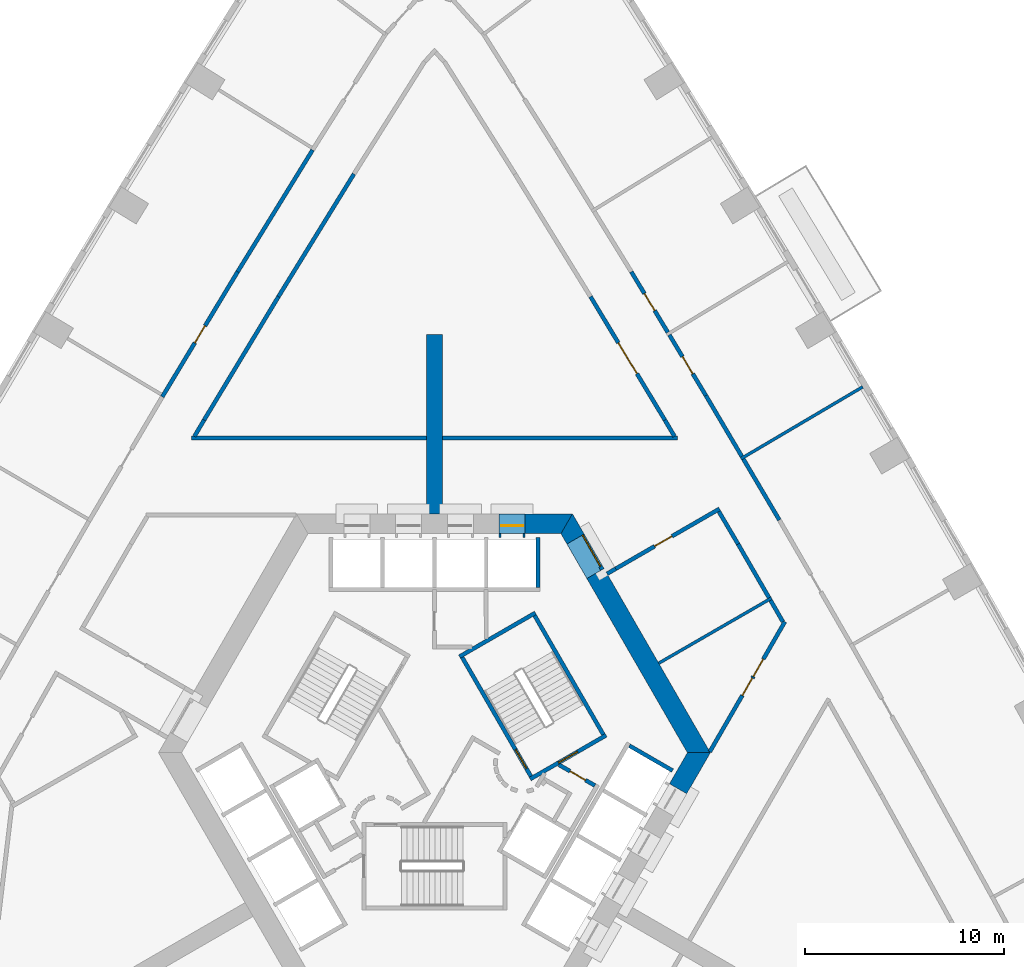
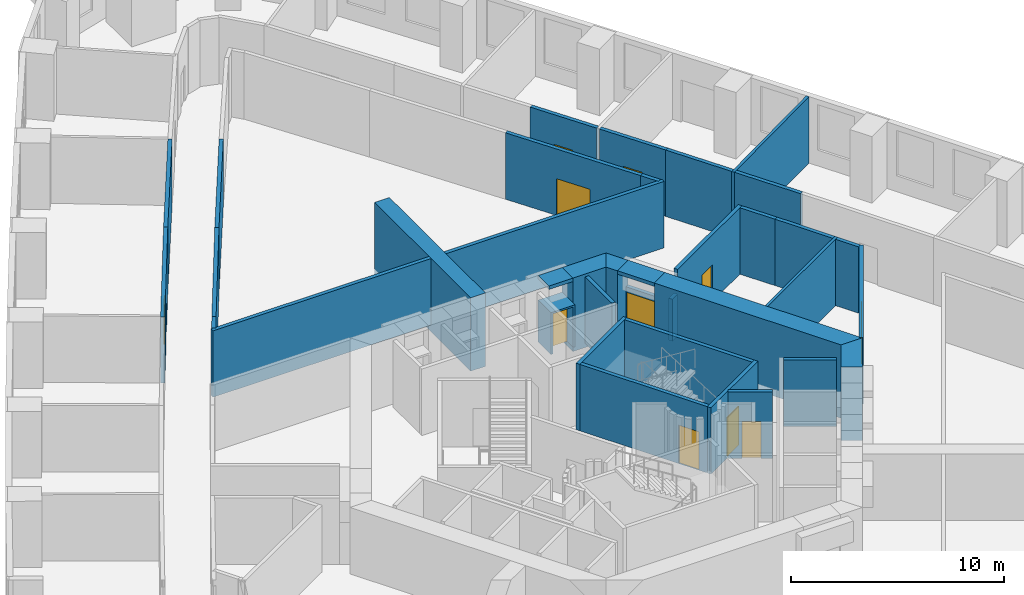
# One storey, part 9 of 16: 37 walls, 12 doors, 12 openings.
"""IFC4 building model written with IfcOpenShell, lengths in metres."""

import ifcopenshell
import ifcopenshell.guid

model = None  # the IFC model being written
_history = None  # IfcOwnerHistory: only IFC2X3 demands one
_inside = {}  # id of a spatial element -> (the spatial element, [elements in it])
_under = {}  # id of a project, library or spatial element -> (it, [spatial elements below it])
_declared = {}  # id of a project -> (the project, [libraries it declares])
_typed = {}  # id of a type object -> (the type object, [elements of that type])
_made_of = {}  # id of a material, layer set ... -> (it, [elements and type objects made of it])


def new_model(schema):
    """Start an empty IFC model of exactly this schema.

    Asked for "IFC4X3", IfcOpenShell would pick the latest addendum, in which some entities
    have other attributes; the version numbers below select the first issue.
    IFC2X3 requires an IfcOwnerHistory on every rooted entity: one is made here for all.
    """
    global model, _history
    if schema == "IFC4X3":
        model = ifcopenshell.file(schema_version=(4, 3, 0, 0))
    else:
        model = ifcopenshell.file(schema=schema)
    _inside.clear()
    _under.clear()
    _declared.clear()
    _typed.clear()
    _made_of.clear()
    _history = None
    if model.schema == "IFC2X3":
        org = make("IfcOrganization", Name="unknown")
        user = make(
            "IfcPersonAndOrganization",
            ThePerson=make("IfcPerson", FamilyName="unknown"),
            TheOrganization=org,
        )
        app = make(
            "IfcApplication",
            ApplicationDeveloper=org,
            Version="unknown",
            ApplicationFullName="unknown",
            ApplicationIdentifier="unknown",
        )
        _history = make(
            "IfcOwnerHistory",
            OwningUser=user,
            OwningApplication=app,
            ChangeAction="ADDED",
            CreationDate=0,
        )
    return model


def make(cls, **values):
    """One entity of the class cls with the attributes given. An attribute that is None is left unset."""
    return model.create_entity(
        cls, **{name: value for name, value in values.items() if value is not None}
    )


def rooted(cls, **values):
    """An entity with a GlobalId (a new one), such as an element, a storey or a relation."""
    return make(cls, GlobalId=ifcopenshell.guid.new(), OwnerHistory=_history, **values)


def si_unit(unit_type, name, prefix=None):
    """IfcSIUnit, for example si_unit("LENGTHUNIT", "METRE", prefix="MILLI")."""
    return make("IfcSIUnit", UnitType=unit_type, Prefix=prefix, Name=name)


def assignment(units):
    """IfcUnitAssignment: the units of a project."""
    return None if units is None else make("IfcUnitAssignment", Units=units)


def point(xyz):
    """IfcCartesianPoint."""
    return None if xyz is None else make("IfcCartesianPoint", Coordinates=xyz)


def direction(xyz):
    """IfcDirection."""
    return None if xyz is None else make("IfcDirection", DirectionRatios=xyz)


def frame(location, z_axis=None, x_axis=None):
    """IfcAxis2Placement3D, a coordinate frame: its origin and axes. An axis left out is left unset."""
    return make(
        "IfcAxis2Placement3D",
        Location=point(location),
        Axis=direction(z_axis),
        RefDirection=direction(x_axis),
    )


def frame_2d(location, x_axis=None):
    """IfcAxis2Placement2D, a coordinate frame in the plane: its origin and x axis."""
    return make(
        "IfcAxis2Placement2D", Location=point(location), RefDirection=direction(x_axis)
    )


def origin():
    """The frame at (0, 0, 0) with its axes left unset."""
    return frame((0.0, 0.0, 0.0))


def place(relative_to, where):
    """IfcLocalPlacement: puts the frame where relative to a parent placement (None: the world)."""
    return make(
        "IfcLocalPlacement", PlacementRelTo=relative_to, RelativePlacement=where
    )


def context(
    kind, dimensions, precision=None, world=None, true_north=None, identifier=None
):
    """IfcGeometricRepresentationContext, for example the 3D "Model" context."""
    return make(
        "IfcGeometricRepresentationContext",
        ContextIdentifier=identifier,
        ContextType=kind,
        CoordinateSpaceDimension=dimensions,
        Precision=precision,
        WorldCoordinateSystem=world,
        TrueNorth=true_north,
    )


def subcontext(parent, identifier, kind, view, scale=None):
    """IfcGeometricRepresentationSubContext, for example "Body" below "Model"."""
    return make(
        "IfcGeometricRepresentationSubContext",
        ContextIdentifier=identifier,
        ContextType=kind,
        ParentContext=parent,
        TargetScale=scale,
        TargetView=view,
    )


def project(units=None, contexts=None):
    """IfcProject with its units and contexts."""
    return rooted(
        "IfcProject",
        Name="project",
        RepresentationContexts=contexts,
        UnitsInContext=assignment(units),
    )


def spatial(cls, under=None, at=None, **own):
    """A site, building, storey or space (cls), placed at a placement, below another one or the project."""
    s = rooted(cls, ObjectPlacement=at, **own)
    if under is not None:
        _under.setdefault(under.id(), (under, []))[1].append(s)
    return s


def polyline(points):
    """IfcPolyline through the points."""
    return make("IfcPolyline", Points=[point(p) for p in points])


def profile(cls, at=None, kind="AREA", **sizes):
    """A parametric profile (cls). Its sizes go by their IFC names, for example OverallWidth=200.0."""
    return make(cls, ProfileType=kind, Position=at, **sizes)


def rectangle(**sizes):
    """IfcRectangleProfileDef."""
    return profile("IfcRectangleProfileDef", **sizes)


def outline(outer, holes=None, kind="AREA"):
    """IfcArbitraryClosedProfileDef: a profile drawn as a closed curve; with holes, ...WithVoids."""
    if holes is None:
        return make("IfcArbitraryClosedProfileDef", ProfileType=kind, OuterCurve=outer)
    return make(
        "IfcArbitraryProfileDefWithVoids",
        ProfileType=kind,
        OuterCurve=outer,
        InnerCurves=holes,
    )


def extrude(swept, where, along, depth):
    """IfcExtrudedAreaSolid: the profile swept, set in the frame where, extruded along a direction by depth."""
    return make(
        "IfcExtrudedAreaSolid",
        SweptArea=swept,
        Position=where,
        ExtrudedDirection=direction(along),
        Depth=depth,
    )


def shape(context_of_items, identifier, shape_type, items):
    """IfcShapeRepresentation: the items that make up one representation, for example the "Body"."""
    return make(
        "IfcShapeRepresentation",
        ContextOfItems=context_of_items,
        RepresentationIdentifier=identifier,
        RepresentationType=shape_type,
        Items=items,
    )


def material(Name=None, Category=None):
    """IfcMaterial."""
    return make("IfcMaterial", Name=Name, Category=Category)


def layer(
    of_material, thickness, ventilated=None, Name=None, Category=None, Priority=None
):
    """IfcMaterialLayer: one layer of a wall or slab, of a material (None: an air gap)."""
    return make(
        "IfcMaterialLayer",
        Material=of_material,
        LayerThickness=thickness,
        IsVentilated=ventilated,
        Name=Name,
        Category=Category,
        Priority=Priority,
    )


def layer_set(layers, Name=None):
    """IfcMaterialLayerSet."""
    return make("IfcMaterialLayerSet", MaterialLayers=layers, LayerSetName=Name)


def made_of(thing, what):
    """Note that an element or type object is made of a material, layer set ...; save() writes the relation."""
    if what is not None:
        _made_of.setdefault(what.id(), (what, []))[1].append(thing)
    return thing


def type_object(cls, material=None, **own):
    """A type object (cls), such as IfcWallType, which elements share."""
    return made_of(rooted(cls, **own), material)


def element(
    cls,
    number,
    at=None,
    inside=None,
    cuts=None,
    type_object=None,
    material=None,
    context=None,
    identifier="Body",
    shape_type=None,
    held_by="IfcProductDefinitionShape",
    body=None,
    shapes=None,
    **own,
):
    """One element of the class cls, such as IfcWall. Its Tag is "e" and its number.

    at: its placement. inside: the storey or other place that contains it. cuts: it is an
    opening in that element (IfcRelVoidsElement). A single representation is given by context,
    identifier, shape_type and body (its items); several are given by shapes. held_by: the class
    of the entity that holds the representations. save() writes the other relations.
    """
    e = rooted(cls, Tag="e%d" % number, ObjectPlacement=at, **own)
    if body is not None:
        shapes = [shape(context, identifier, shape_type, body)]
    if shapes is not None:
        e.Representation = make(held_by, Representations=shapes)
    if inside is not None:
        _inside.setdefault(inside.id(), (inside, []))[1].append(e)
    if cuts is not None:
        rooted(
            "IfcRelVoidsElement", RelatingBuildingElement=cuts, RelatedOpeningElement=e
        )
    if type_object is not None:
        _typed.setdefault(type_object.id(), (type_object, []))[1].append(e)
    return made_of(e, material)


def fill(opening, filler):
    """IfcRelFillsElement: the door or window that sits in an opening."""
    return rooted(
        "IfcRelFillsElement",
        RelatingOpeningElement=opening,
        RelatedBuildingElement=filler,
    )


def aggregate(whole, parts):
    """IfcRelAggregates: a whole, such as a stair, and the parts it consists of."""
    return rooted("IfcRelAggregates", RelatingObject=whole, RelatedObjects=parts)


def save(model, path):
    """Write the relations noted so far, then the file.

    IfcRelAggregates (storeys below a building ...), IfcRelContainedInSpatialStructure (elements
    in a storey), IfcRelDefinesByType, IfcRelAssociatesMaterial and IfcRelDeclares: one each for
    every whole, place, type object, material and project.
    """
    for whole, parts in _under.values():
        aggregate(whole, parts)
    for where, things in _inside.values():
        rooted(
            "IfcRelContainedInSpatialStructure",
            RelatedElements=things,
            RelatingStructure=where,
        )
    for kind, things in _typed.values():
        rooted("IfcRelDefinesByType", RelatedObjects=things, RelatingType=kind)
    for what, things in _made_of.values():
        rooted("IfcRelAssociatesMaterial", RelatedObjects=things, RelatingMaterial=what)
    for by, libraries in _declared.values():
        rooted("IfcRelDeclares", RelatingContext=by, RelatedDefinitions=libraries)
    model.write(path)


model = new_model("IFC4")

# Units and contexts
model_context = context("Model", 3, precision=1e-05, world=origin(), true_north=direction((0.0, 1.0)))
body_context = subcontext(model_context, "Body", "Model", "MODEL_VIEW")
ifc_project = project(units=[si_unit("LENGTHUNIT", "METRE"), si_unit("AREAUNIT", "SQUARE_METRE"), si_unit("VOLUMEUNIT", "CUBIC_METRE"), si_unit("PLANEANGLEUNIT", "RADIAN"), si_unit("MASSUNIT", "GRAM", prefix="KILO")], contexts=[model_context])

# Site, building, storey
site_placement = place(None, origin())
site = spatial("IfcSite", under=ifc_project, at=site_placement, CompositionType="ELEMENT")
building_placement = place(site_placement, origin())
building = spatial("IfcBuilding", under=site, at=building_placement, Name="Entoto Arch Interchange Tower", CompositionType="ELEMENT")
storey_placement = place(building_placement, frame((0.0, 0.0, 60.199951171875)))
storey = spatial("IfcBuildingStorey", under=building, at=storey_placement, Name="L12", CompositionType="ELEMENT", Elevation=60.199951171875)

# Wall
ifc_material_1 = material(Name="Concrete C60/75", Category="concrete")
ifc_layer_1 = layer(ifc_material_1, 0.800048828125)
ifc_layer_set_1 = layer_set([ifc_layer_1], Name="Concrete C60/75")
wall_type_1 = type_object("IfcWallType", Name="Buttress wall 800 C60/75", PredefinedType="SHEAR", material=ifc_layer_set_1)
wall_1_placement = place(storey_placement, frame((0.0, 14.5, -0.39990234375), z_axis=(0.0, 0.0, 1.0), x_axis=(0.0, 1.0, 0.0)))
element("IfcWall", 1, at=wall_1_placement, inside=storey, type_object=wall_type_1, Name="Buttress wall N L12", PredefinedType="SHEAR", context=body_context, shape_type="SweptSolid", body=[
    extrude(rectangle(XDim=9.0, YDim=0.800048828125, at=frame_2d((4.5, 0.0))), origin(), (0.0, 0.0, 1.0), 4.199951171875),
])

# Wall, opening, door
ifc_material_2 = material(Name="Reinforced concrete C40/50", Category="concrete")
ifc_layer_2 = layer(ifc_material_2, 0.199951171875)
ifc_layer_set_2 = layer_set([ifc_layer_2], Name="Reinforced concrete C40/50")
wall_type_2 = type_object("IfcWallType", Name="CORE GAP INFILL WALL", PredefinedType="PARTITIONING", material=ifc_layer_set_2)
wall_2_placement = place(storey_placement, frame((8.429931640625, 11.697998046875, 0.0), z_axis=(0.0, 0.0, 1.0), x_axis=(-0.50002537861, 0.866010750942, 0.0)))
wall_2 = element("IfcWall", 2, at=wall_2_placement, inside=storey, type_object=wall_type_2, Name="wall:L12:gap2", PredefinedType="PARTITIONING", context=body_context, shape_type="SweptSolid", body=[
    extrude(rectangle(XDim=2.0, YDim=0.199951171875, at=frame_2d((1.0, 0.0))), origin(), (0.0, 0.0, 1.0), 2.400146484375),
])
opening_1_placement = place(wall_2_placement, frame((0.18994140625, 0.0, 0.0)))
opening_1 = element("IfcOpeningElement", 3, at=opening_1_placement, cuts=wall_2, Name="Opening L12-D92", PredefinedType="OPENING", context=body_context, shape_type="SweptSolid", body=[
    extrude(rectangle(XDim=1.800048828125, YDim=2.10009765625, at=frame_2d((0.89990234375, 1.050048828125))), frame((0.0, 0.10986328125, 0.0), z_axis=(0.0, -1.0, 0.0), x_axis=(1.0, 0.0, 0.0)), (0.0, 0.0, 1.0), 0.219970703125),
])
ifc_material_3 = material(Name="Fire-rated Steel S235 door and frame", Category="steel")
door_type_1 = type_object("IfcDoorType", Name="DOOR FD-18 1800x2100", OperationType="DOUBLE_DOOR_SINGLE_SWING", PredefinedType="DOOR", material=ifc_material_3)
door_1_placement = place(opening_1_placement, origin())
door_1 = element("IfcDoor", 4, at=door_1_placement, inside=storey, type_object=door_type_1, Name="door:L12:gap2", OperationType="DOUBLE_DOOR_SINGLE_SWING", OverallHeight=2.10009765625, OverallWidth=1.800048828125, PredefinedType="DOOR", context=body_context, shape_type="SweptSolid", body=[
    extrude(rectangle(XDim=1.800048828125, YDim=2.10009765625, at=frame_2d((0.89990234375, 1.050048828125))), frame((0.0, 0.02490234375, 0.0), z_axis=(0.0, -1.0, 0.0), x_axis=(1.0, 0.0, 0.0)), (0.0, 0.0, 1.0), 0.050048828125),
])
fill(opening_1, door_1)

# Walls
ifc_layer_3 = layer(ifc_material_1, 1.0)
ifc_layer_set_3 = layer_set([ifc_layer_3], Name="Concrete C60/75")
wall_type_3 = type_object("IfcWallType", Name="Core wall 1000 C60/75", PredefinedType="SHEAR", material=ifc_layer_set_3)
wall_3_placement = place(storey_placement, frame((0.0, 0.0, -0.39990234375)))
element("IfcWall", 5, at=wall_3_placement, inside=storey, type_object=wall_type_3, Name="Core wall NE L12", PredefinedType="SHEAR", context=body_context, shape_type="SweptSolid", body=[
    extrude(outline(polyline([(8.51708984375, 11.748046875), (7.65087890625, 11.248046875), (12.701904296875, 2.5), (13.85595703125, 2.5), (8.51708984375, 11.748046875)])), origin(), (0.0, 0.0, 1.0), 4.199951171875),
])
wall_4_placement = place(storey_placement, frame((0.0, 0.0, -0.39990234375)))
element("IfcWall", 6, at=wall_4_placement, inside=storey, type_object=wall_type_3, Name="Core wall NE L12", PredefinedType="SHEAR", context=body_context, shape_type="SweptSolid", body=[
    extrude(outline(polyline([(6.65087890625, 12.97998046875), (7.51708984375, 13.47998046875), (6.927978515625, 14.5), (6.35107421875, 13.5), (6.65087890625, 12.97998046875)])), origin(), (0.0, 0.0, 1.0), 4.199951171875),
])
wall_5_placement = place(storey_placement, frame((0.0, 0.0, 3.60009765625)))
element("IfcWall", 7, at=wall_5_placement, inside=storey, type_object=wall_type_3, Name="Core wall lintel NE L12", PredefinedType="SHEAR", context=body_context, shape_type="SweptSolid", body=[
    extrude(outline(polyline([(7.51708984375, 13.47998046875), (6.65087890625, 12.97998046875), (7.65087890625, 11.248046875), (8.51708984375, 11.748046875), (7.51708984375, 13.47998046875)])), origin(), (0.0, 0.0, 1.0), 0.199951171875),
])
wall_6_placement = place(storey_placement, frame((0.0, 0.0, -0.39990234375)))
element("IfcWall", 8, at=wall_6_placement, inside=storey, type_object=wall_type_3, Name="Core wall N L12", PredefinedType="SHEAR", context=body_context, shape_type="SweptSolid", body=[
    extrude(outline(polyline([(4.550048828125, 14.5), (4.550048828125, 13.5), (6.35107421875, 13.5), (6.927978515625, 14.5), (4.550048828125, 14.5)])), origin(), (0.0, 0.0, 1.0), 4.199951171875),
])
wall_7_placement = place(storey_placement, frame((0.0, 0.0, 3.60009765625)))
element("IfcWall", 9, at=wall_7_placement, inside=storey, type_object=wall_type_3, Name="Core wall lintel N L12", PredefinedType="SHEAR", context=body_context, shape_type="SweptSolid", body=[
    extrude(outline(polyline([(3.25, 14.5), (3.25, 13.5), (4.550048828125, 13.5), (4.550048828125, 14.5), (3.25, 14.5)])), origin(), (0.0, 0.0, 1.0), 0.199951171875),
])
wall_8_placement = place(storey_placement, frame((0.0, 0.0, -0.39990234375)))
element("IfcWall", 10, at=wall_8_placement, inside=storey, type_object=wall_type_3, Name="Core wall SE L12", PredefinedType="SHEAR", context=body_context, shape_type="SweptSolid", body=[
    extrude(outline(polyline([(11.801025390625, 0.93994140625), (12.6669921875, 0.43994140625), (13.85595703125, 2.5), (12.701904296875, 2.5), (11.801025390625, 0.93994140625)])), origin(), (0.0, 0.0, 1.0), 4.199951171875),
])

# Wall, opening, door
ifc_material_4 = material(Name="Concrete C40/50", Category="concrete")
ifc_layer_4 = layer(ifc_material_4, 1.199951171875)
ifc_layer_set_4 = layer_set([ifc_layer_4], Name="Concrete C40/50")
wall_type_4 = type_object("IfcWallType", Name="LIFT LANDING INFILL WALL", PredefinedType="STANDARD", material=ifc_layer_set_4)
wall_9_placement = place(storey_placement, frame((4.550048828125, 13.89990234375, 0.0), z_axis=(0.0, 0.0, 1.0), x_axis=(-1.0, 0.0, 0.0)))
wall_9 = element("IfcWall", 11, at=wall_9_placement, inside=storey, type_object=wall_type_4, Name="Lift landing infill wall LR1 L12", PredefinedType="STANDARD", context=body_context, shape_type="SweptSolid", body=[
    extrude(rectangle(XDim=1.300048828125, YDim=1.199951171875, at=frame_2d((0.64990234375, 0.0))), origin(), (0.0, 0.0, 1.0), 2.400146484375),
])
opening_2_placement = place(wall_9_placement, frame((0.10009765625, 0.0, 0.0)))
opening_2 = element("IfcOpeningElement", 12, at=opening_2_placement, cuts=wall_9, Name="Opening LD-LR1-L12", PredefinedType="OPENING", context=body_context, shape_type="SweptSolid", body=[
    extrude(rectangle(XDim=1.10009765625, YDim=2.300048828125, at=frame_2d((0.550048828125, 1.14990234375))), frame((0.0, 0.60986328125, 0.0), z_axis=(0.0, -1.0, 0.0), x_axis=(1.0, 0.0, 0.0)), (0.0, 0.0, 1.0), 1.219970703125),
])
ifc_material_5 = material(Name="Stainless steel 1.4301 panels", Category="steel")
door_type_2 = type_object("IfcDoorType", Name="LIFT LANDING DOOR LD2 1100x2300", OperationType="SLIDING_TO_LEFT", PredefinedType="DOOR", material=ifc_material_5)
door_2_placement = place(opening_2_placement, origin())
door_2 = element("IfcDoor", 13, at=door_2_placement, inside=storey, type_object=door_type_2, Name="Lift landing door LR1 L12", OperationType="SLIDING_TO_LEFT", OverallHeight=2.300048828125, OverallWidth=1.10009765625, PredefinedType="DOOR", context=body_context, shape_type="SweptSolid", body=[
    extrude(rectangle(XDim=1.10009765625, YDim=2.300048828125, at=frame_2d((0.550048828125, 1.14990234375))), frame((0.0, 0.02490234375, 0.0), z_axis=(0.0, -1.0, 0.0), x_axis=(1.0, 0.0, 0.0)), (0.0, 0.0, 1.0), 0.050048828125),
])
fill(opening_2, door_2)

# Walls
ifc_layer_5 = layer(ifc_material_4, 0.199951171875)
ifc_layer_set_5 = layer_set([ifc_layer_5], Name="Concrete C40/50")
wall_type_5 = type_object("IfcWallType", Name="LIFT SHAFT WALL 200", PredefinedType="STANDARD", material=ifc_layer_set_5)
wall_10_placement = place(storey_placement, frame((5.199951171875, 10.800048828125, 0.0), z_axis=(0.0, 0.0, 1.0), x_axis=(0.0, 1.0, 0.0)))
element("IfcWall", 14, at=wall_10_placement, inside=storey, type_object=wall_type_5, Name="Shaft wall N3 cross 1", PredefinedType="STANDARD", context=body_context, shape_type="SweptSolid", body=[
    extrude(rectangle(XDim=2.5, YDim=0.199951171875, at=frame_2d((1.25, 0.0))), origin(), (0.0, 0.0, 1.0), 3.800048828125),
])
wall_11_placement = place(storey_placement, frame((9.7880859375, 2.85302734375, 0.0), z_axis=(0.0, 0.0, 1.0), x_axis=(0.865998541277, -0.500046524342, 0.0)))
element("IfcWall", 15, at=wall_11_placement, inside=storey, type_object=wall_type_5, Name="Shaft wall SE3 cross 5", PredefinedType="STANDARD", context=body_context, shape_type="SweptSolid", body=[
    extrude(rectangle(XDim=2.499755859375, YDim=0.199951171875, at=frame_2d((1.25, 0.0))), origin(), (0.0, 0.0, 1.0), 3.800048828125),
])
ifc_material_6 = material(Name="Gypsum board partition on steel studs", Category="steel")
ifc_layer_6 = layer(ifc_material_6, 0.14990234375)
ifc_layer_set_6 = layer_set([ifc_layer_6], Name="Gypsum board partition on steel studs")
wall_type_6 = type_object("IfcWallType", Name="PARTITION 150", PredefinedType="PARTITIONING", material=ifc_layer_set_6)
wall_12_placement = place(storey_placement, frame((11.260986328125, 6.993896484375, 0.0), z_axis=(0.0, 0.0, 1.0), x_axis=(0.866043905515, 0.499967952693, 0.0)))
element("IfcWall", 16, at=wall_12_placement, inside=storey, type_object=wall_type_6, Name="wall:L12:p098", PredefinedType="PARTITIONING", context=body_context, shape_type="SweptSolid", body=[
    extrude(rectangle(XDim=6.54248046875, YDim=0.14990234375, at=frame_2d((3.271240234375, 0.0))), origin(), (0.0, 0.0, 1.0), 3.800048828125),
])
wall_13_placement = place(storey_placement, frame((15.387939453125, 17.260986328125, 0.0), z_axis=(0.0, 0.0, 1.0), x_axis=(0.861189945173, 0.50828326584, 0.0)))
element("IfcWall", 17, at=wall_13_placement, inside=storey, type_object=wall_type_6, Name="wall:L12:p138", PredefinedType="PARTITIONING", context=body_context, shape_type="SweptSolid", body=[
    extrude(rectangle(XDim=7.1005859375, YDim=0.14990234375, at=frame_2d((3.55029296875, 0.0))), origin(), (0.0, 0.0, 1.0), 3.800048828125),
])
ifc_layer_7 = layer(ifc_material_6, 0.199951171875)
ifc_layer_set_7 = layer_set([ifc_layer_7], Name="Gypsum board partition on steel studs")
wall_type_7 = type_object("IfcWallType", Name="PARTITION 200", PredefinedType="PARTITIONING", material=ifc_layer_set_7)
wall_14_placement = place(storey_placement, frame((17.4970703125, 9.077880859375, 0.0), z_axis=(0.0, 0.0, 1.0), x_axis=(-0.500126451326, 0.865952384768, 0.0)))
element("IfcWall", 18, at=wall_14_placement, inside=storey, type_object=wall_type_7, Name="wall:L12:p004", PredefinedType="PARTITIONING", context=body_context, shape_type="SweptSolid", body=[
    extrude(rectangle(XDim=1.238037109375, YDim=0.199951171875, at=frame_2d((0.619140625, 0.0))), origin(), (0.0, 0.0, 1.0), 3.800048828125),
])
wall_15_placement = place(storey_placement, frame((16.802978515625, 10.280029296875, 0.0), z_axis=(0.0, 0.0, 1.0), x_axis=(-0.499941881293, 0.866058956036, 0.0)))
element("IfcWall", 19, at=wall_15_placement, inside=storey, type_object=wall_type_7, Name="wall:L12:p005", PredefinedType="PARTITIONING", context=body_context, shape_type="SweptSolid", body=[
    extrude(rectangle(XDim=3.114013671875, YDim=0.199951171875, at=frame_2d((1.55712890625, 0.0))), origin(), (0.0, 0.0, 1.0), 3.800048828125),
])
wall_16_placement = place(storey_placement, frame((15.24609375, 12.97705078125, 0.0), z_axis=(0.0, 0.0, 1.0), x_axis=(-0.508473864329, 0.861077423519, 0.0)))
element("IfcWall", 20, at=wall_16_placement, inside=storey, type_object=wall_type_7, Name="wall:L12:p006", PredefinedType="PARTITIONING", context=body_context, shape_type="SweptSolid", body=[
    extrude(rectangle(XDim=1.89990234375, YDim=0.199951171875, at=frame_2d((0.949951171875, 0.0))), origin(), (0.0, 0.0, 1.0), 3.800048828125),
])

# Wall, opening, door
wall_17_placement = place(storey_placement, frame((14.31591796875, 14.75, 0.0), z_axis=(0.0, 0.0, 1.0), x_axis=(-0.865981716183, -0.500075661512, 0.0)))
wall_17 = element("IfcWall", 21, at=wall_17_placement, inside=storey, type_object=wall_type_7, Name="wall:L12:p007", PredefinedType="PARTITIONING", context=body_context, shape_type="SweptSolid", body=[
    extrude(rectangle(XDim=6.02294921875, YDim=0.199951171875, at=frame_2d((3.011474609375, 0.0))), origin(), (0.0, 0.0, 1.0), 3.800048828125),
])
opening_3_placement = place(wall_17_placement, frame((2.760986328125, 0.0, 0.0)))
opening_3 = element("IfcOpeningElement", 22, at=opening_3_placement, cuts=wall_17, Name="Opening L12-D29", PredefinedType="OPENING", context=body_context, shape_type="SweptSolid", body=[
    extrude(rectangle(XDim=1.0, YDim=2.10009765625, at=frame_2d((0.5, 1.050048828125))), frame((0.0, 0.10986328125, 0.0), z_axis=(0.0, -1.0, 0.0), x_axis=(1.0, 0.0, 0.0)), (0.0, 0.0, 1.0), 0.219970703125),
])
ifc_material_7 = material(Name="Timber door leaf in Steel S235 frame", Category="steel")
door_type_3 = type_object("IfcDoorType", Name="DOOR DS-10 1000x2100", OperationType="SINGLE_SWING_LEFT", PredefinedType="DOOR", material=ifc_material_7)
door_3_placement = place(opening_3_placement, origin())
door_3 = element("IfcDoor", 23, at=door_3_placement, inside=storey, type_object=door_type_3, Name="door:L12:29", OperationType="SINGLE_SWING_LEFT", OverallHeight=2.10009765625, OverallWidth=1.0, PredefinedType="DOOR", context=body_context, shape_type="SweptSolid", body=[
    extrude(rectangle(XDim=1.0, YDim=2.10009765625, at=frame_2d((0.5, 1.050048828125))), frame((0.0, 0.02490234375, 0.0), z_axis=(0.0, -1.0, 0.0), x_axis=(1.0, 0.0, 0.0)), (0.0, 0.0, 1.0), 0.050048828125),
])
fill(opening_3, door_3)

# Wall
wall_18_placement = place(storey_placement, frame((12.053955078125, 18.385986328125, 0.0), z_axis=(0.0, 0.0, 1.0), x_axis=(-0.508048285953, 0.861328589529, 0.0)))
element("IfcWall", 24, at=wall_18_placement, inside=storey, type_object=wall_type_7, Name="wall:L12:p008", PredefinedType="PARTITIONING", context=body_context, shape_type="SweptSolid", body=[
    extrude(rectangle(XDim=0.954345703125, YDim=0.199951171875, at=frame_2d((0.47705078125, 0.0))), origin(), (0.0, 0.0, 1.0), 3.800048828125),
])

# Wall, opening, door
wall_19_placement = place(storey_placement, frame((11.569091796875, 19.2080078125, 0.0), z_axis=(0.0, 0.0, 1.0), x_axis=(-0.516172233954, 0.85648480716, 0.0)))
wall_19 = element("IfcWall", 25, at=wall_19_placement, inside=storey, type_object=wall_type_7, Name="wall:L12:p009", PredefinedType="PARTITIONING", context=body_context, shape_type="SweptSolid", body=[
    extrude(rectangle(XDim=7.234375, YDim=0.199951171875, at=frame_2d((3.6171875, 0.0))), origin(), (0.0, 0.0, 1.0), 3.800048828125),
])
opening_4_placement = place(wall_19_placement, frame((2.717041015625, 0.0, 0.0)))
opening_4 = element("IfcOpeningElement", 26, at=opening_4_placement, cuts=wall_19, Name="Opening L12-D20", PredefinedType="OPENING", context=body_context, shape_type="SweptSolid", body=[
    extrude(rectangle(XDim=1.800048828125, YDim=2.10009765625, at=frame_2d((0.89990234375, 1.050048828125))), frame((0.0, 0.10986328125, 0.0), z_axis=(0.0, -1.0, 0.0), x_axis=(1.0, 0.0, 0.0)), (0.0, 0.0, 1.0), 0.219970703125),
])
door_type_4 = type_object("IfcDoorType", Name="DOOR DD-18 1800x2100", OperationType="DOUBLE_DOOR_SINGLE_SWING", PredefinedType="DOOR", material=ifc_material_7)
door_4_placement = place(opening_4_placement, origin())
door_4 = element("IfcDoor", 27, at=door_4_placement, inside=storey, type_object=door_type_4, Name="door:L12:20", OperationType="DOUBLE_DOOR_SINGLE_SWING", OverallHeight=2.10009765625, OverallWidth=1.800048828125, PredefinedType="DOOR", context=body_context, shape_type="SweptSolid", body=[
    extrude(rectangle(XDim=1.800048828125, YDim=2.10009765625, at=frame_2d((0.89990234375, 1.050048828125))), frame((0.0, 0.02490234375, 0.0), z_axis=(0.0, -1.0, 0.0), x_axis=(1.0, 0.0, 0.0)), (0.0, 0.0, 1.0), 0.050048828125),
])
fill(opening_4, door_4)

# Walls
wall_20_placement = place(storey_placement, frame((-4.04296875, 31.56396484375, 0.0), z_axis=(0.0, 0.0, 1.0), x_axis=(-0.524225471951, -0.851579505717, 0.0)))
element("IfcWall", 28, at=wall_20_placement, inside=storey, type_object=wall_type_7, Name="wall:L12:p015", PredefinedType="PARTITIONING", context=body_context, shape_type="SweptSolid", body=[
    extrude(rectangle(XDim=7.2333984375, YDim=0.199951171875, at=frame_2d((3.61669921875, 0.0))), origin(), (0.0, 0.0, 1.0), 3.800048828125),
])
wall_21_placement = place(storey_placement, frame((-7.8349609375, 25.404052734375, 0.0), z_axis=(0.0, 0.0, 1.0), x_axis=(-0.516172233954, -0.85648480716, 0.0)))
element("IfcWall", 29, at=wall_21_placement, inside=storey, type_object=wall_type_7, Name="wall:L12:p016", PredefinedType="PARTITIONING", context=body_context, shape_type="SweptSolid", body=[
    extrude(rectangle(XDim=7.234375, YDim=0.199951171875, at=frame_2d((3.6171875, 0.0))), origin(), (0.0, 0.0, 1.0), 3.800048828125),
])
wall_22_placement = place(storey_placement, frame((-11.569091796875, 19.2080078125, 0.0), z_axis=(0.0, 0.0, 1.0), x_axis=(-0.508048285953, -0.861328589529, 0.0)))
element("IfcWall", 30, at=wall_22_placement, inside=storey, type_object=wall_type_7, Name="wall:L12:p017", PredefinedType="PARTITIONING", context=body_context, shape_type="SweptSolid", body=[
    extrude(rectangle(XDim=0.954345703125, YDim=0.199951171875, at=frame_2d((0.47705078125, 0.0))), origin(), (0.0, 0.0, 1.0), 3.800048828125),
])
wall_23_placement = place(storey_placement, frame((15.511962890625, 17.248046875, 0.0), z_axis=(0.0, 0.0, 1.0), x_axis=(0.508178415101, -0.861251820564, 0.0)))
element("IfcWall", 31, at=wall_23_placement, inside=storey, type_object=wall_type_7, Name="wall:L12:p054", PredefinedType="PARTITIONING", context=body_context, shape_type="SweptSolid", body=[
    extrude(rectangle(XDim=3.55419921875, YDim=0.199951171875, at=frame_2d((1.777099609375, 0.0))), origin(), (0.0, 0.0, 1.0), 3.800048828125),
])

# Wall, opening, door
wall_24_placement = place(storey_placement, frame((11.7958984375, 23.48095703125, 0.0), z_axis=(0.0, 0.0, 1.0), x_axis=(0.516070934647, -0.8565458484, 0.0)))
wall_24 = element("IfcWall", 32, at=wall_24_placement, inside=storey, type_object=wall_type_7, Name="wall:L12:p056", PredefinedType="PARTITIONING", context=body_context, shape_type="SweptSolid", body=[
    extrude(rectangle(XDim=3.5537109375, YDim=0.199951171875, at=frame_2d((1.77685546875, 0.0))), origin(), (0.0, 0.0, 1.0), 3.800048828125),
])
opening_5_placement = place(wall_24_placement, frame((1.277099609375, 0.0, 0.0)))
opening_5 = element("IfcOpeningElement", 33, at=opening_5_placement, cuts=wall_24, Name="Opening L12-D06", PredefinedType="OPENING", context=body_context, shape_type="SweptSolid", body=[
    extrude(rectangle(XDim=1.0, YDim=2.10009765625, at=frame_2d((0.5, 1.050048828125))), frame((0.0, 0.10986328125, 0.0), z_axis=(0.0, -1.0, 0.0), x_axis=(1.0, 0.0, 0.0)), (0.0, 0.0, 1.0), 0.219970703125),
])
door_5_placement = place(opening_5_placement, origin())
door_5 = element("IfcDoor", 34, at=door_5_placement, inside=storey, type_object=door_type_3, Name="door:L12:06", OperationType="SINGLE_SWING_LEFT", OverallHeight=2.10009765625, OverallWidth=1.0, PredefinedType="DOOR", context=body_context, shape_type="SweptSolid", body=[
    extrude(rectangle(XDim=1.0, YDim=2.10009765625, at=frame_2d((0.5, 1.050048828125))), frame((0.0, 0.02490234375, 0.0), z_axis=(0.0, -1.0, 0.0), x_axis=(1.0, 0.0, 0.0)), (0.0, 0.0, 1.0), 0.050048828125),
])
fill(opening_5, door_5)

# Wall
wall_25_placement = place(storey_placement, frame((13.6298828125, 20.43701171875, 0.0), z_axis=(0.0, 0.0, 1.0), x_axis=(0.508298695021, -0.861180838523, 0.0)))
element("IfcWall", 35, at=wall_25_placement, inside=storey, type_object=wall_type_7, Name="wall:L12:p057", PredefinedType="PARTITIONING", context=body_context, shape_type="SweptSolid", body=[
    extrude(rectangle(XDim=3.55322265625, YDim=0.199951171875, at=frame_2d((1.776611328125, 0.0))), origin(), (0.0, 0.0, 1.0), 3.800048828125),
])

# Wall, opening, door
wall_26_placement = place(storey_placement, frame((9.884033203125, 26.652099609375, 0.0), z_axis=(0.0, 0.0, 1.0), x_axis=(0.516162051318, -0.856490943781, 0.0)))
wall_26 = element("IfcWall", 36, at=wall_26_placement, inside=storey, type_object=wall_type_7, Name="wall:L12:p059", PredefinedType="PARTITIONING", context=body_context, shape_type="SweptSolid", body=[
    extrude(rectangle(XDim=3.55322265625, YDim=0.199951171875, at=frame_2d((1.776611328125, 0.0))), origin(), (0.0, 0.0, 1.0), 3.800048828125),
])
opening_6_placement = place(wall_26_placement, frame((1.277099609375, 0.0, 0.0)))
opening_6 = element("IfcOpeningElement", 37, at=opening_6_placement, cuts=wall_26, Name="Opening L12-D07", PredefinedType="OPENING", context=body_context, shape_type="SweptSolid", body=[
    extrude(rectangle(XDim=1.0, YDim=2.10009765625, at=frame_2d((0.5, 1.050048828125))), frame((0.0, 0.10986328125, 0.0), z_axis=(0.0, -1.0, 0.0), x_axis=(1.0, 0.0, 0.0)), (0.0, 0.0, 1.0), 0.219970703125),
])
door_6_placement = place(opening_6_placement, origin())
door_6 = element("IfcDoor", 38, at=door_6_placement, inside=storey, type_object=door_type_3, Name="door:L12:07", OperationType="SINGLE_SWING_LEFT", OverallHeight=2.10009765625, OverallWidth=1.0, PredefinedType="DOOR", context=body_context, shape_type="SweptSolid", body=[
    extrude(rectangle(XDim=1.0, YDim=2.10009765625, at=frame_2d((0.5, 1.050048828125))), frame((0.0, 0.02490234375, 0.0), z_axis=(0.0, -1.0, 0.0), x_axis=(1.0, 0.0, 0.0)), (0.0, 0.0, 1.0), 0.050048828125),
])
fill(opening_6, door_6)

wall_27_placement = place(storey_placement, frame((-13.6689453125, 20.373046875, 0.0), z_axis=(0.0, 0.0, 1.0), x_axis=(0.516247820136, 0.85643924957, 0.0)))
wall_27 = element("IfcWall", 39, at=wall_27_placement, inside=storey, type_object=wall_type_7, Name="wall:L12:p067", PredefinedType="PARTITIONING", context=body_context, shape_type="SweptSolid", body=[
    extrude(rectangle(XDim=7.33154296875, YDim=0.199951171875, at=frame_2d((3.665771484375, 0.0))), origin(), (0.0, 0.0, 1.0), 3.800048828125),
])
opening_7_placement = place(wall_27_placement, frame((3.166015625, 0.0, 0.0)))
opening_7 = element("IfcOpeningElement", 40, at=opening_7_placement, cuts=wall_27, Name="Opening L12-D11", PredefinedType="OPENING", context=body_context, shape_type="SweptSolid", body=[
    extrude(rectangle(XDim=1.0, YDim=2.10009765625, at=frame_2d((0.5, 1.050048828125))), frame((0.0, 0.10986328125, 0.0), z_axis=(0.0, -1.0, 0.0), x_axis=(1.0, 0.0, 0.0)), (0.0, 0.0, 1.0), 0.219970703125),
])
door_7_placement = place(opening_7_placement, origin())
door_7 = element("IfcDoor", 41, at=door_7_placement, inside=storey, type_object=door_type_3, Name="door:L12:11", OperationType="SINGLE_SWING_LEFT", OverallHeight=2.10009765625, OverallWidth=1.0, PredefinedType="DOOR", context=body_context, shape_type="SweptSolid", body=[
    extrude(rectangle(XDim=1.0, YDim=2.10009765625, at=frame_2d((0.5, 1.050048828125))), frame((0.0, 0.02490234375, 0.0), z_axis=(0.0, -1.0, 0.0), x_axis=(1.0, 0.0, 0.0)), (0.0, 0.0, 1.0), 0.050048828125),
])
fill(opening_7, door_7)

# Wall
wall_28_placement = place(storey_placement, frame((-9.884033203125, 26.652099609375, 0.0), z_axis=(0.0, 0.0, 1.0), x_axis=(0.524182788618, 0.851605779758, 0.0)))
element("IfcWall", 42, at=wall_28_placement, inside=storey, type_object=wall_type_7, Name="wall:L12:p068", PredefinedType="PARTITIONING", context=body_context, shape_type="SweptSolid", body=[
    extrude(rectangle(XDim=7.180419921875, YDim=0.199951171875, at=frame_2d((3.59033203125, 0.0))), origin(), (0.0, 0.0, 1.0), 3.800048828125),
])

# Wall, opening, door
wall_29_placement = place(storey_placement, frame((6.25, 1.89404296875, 0.0), z_axis=(0.0, 0.0, 1.0), x_axis=(0.866043184279, -0.499969202016, 0.0)))
wall_29 = element("IfcWall", 43, at=wall_29_placement, inside=storey, type_object=wall_type_7, Name="wall:L12:p089", PredefinedType="PARTITIONING", context=body_context, shape_type="SweptSolid", body=[
    extrude(rectangle(XDim=2.084228515625, YDim=0.199951171875, at=frame_2d((1.0419921875, 0.0))), origin(), (0.0, 0.0, 1.0), 3.800048828125),
])
opening_8_placement = place(wall_29_placement, frame((0.64208984375, 0.0, 0.0)))
opening_8 = element("IfcOpeningElement", 44, at=opening_8_placement, cuts=wall_29, Name="Opening L12-D33", PredefinedType="OPENING", context=body_context, shape_type="SweptSolid", body=[
    extrude(rectangle(XDim=0.89990234375, YDim=2.10009765625, at=frame_2d((0.449951171875, 1.050048828125))), frame((0.0, 0.10986328125, 0.0), z_axis=(0.0, -1.0, 0.0), x_axis=(1.0, 0.0, 0.0)), (0.0, 0.0, 1.0), 0.219970703125),
])
door_type_5 = type_object("IfcDoorType", Name="DOOR DS-09 900x2100", OperationType="SINGLE_SWING_LEFT", PredefinedType="DOOR", material=ifc_material_7)
door_8_placement = place(opening_8_placement, origin())
door_8 = element("IfcDoor", 45, at=door_8_placement, inside=storey, type_object=door_type_5, Name="door:L12:33", OperationType="SINGLE_SWING_LEFT", OverallHeight=2.10009765625, OverallWidth=0.89990234375, PredefinedType="DOOR", context=body_context, shape_type="SweptSolid", body=[
    extrude(rectangle(XDim=0.89990234375, YDim=2.10009765625, at=frame_2d((0.449951171875, 1.050048828125))), frame((0.0, 0.02490234375, 0.0), z_axis=(0.0, -1.0, 0.0), x_axis=(1.0, 0.0, 0.0)), (0.0, 0.0, 1.0), 0.050048828125),
])
fill(opening_8, door_8)

# Wall, openings, doors
wall_30_placement = place(storey_placement, frame((13.826904296875, 2.550048828125, 0.0), z_axis=(0.0, 0.0, 1.0), x_axis=(0.500116794417, 0.865957961995, 0.0)))
wall_30 = element("IfcWall", 46, at=wall_30_placement, inside=storey, type_object=wall_type_7, Name="wall:L12:p099", PredefinedType="PARTITIONING", context=body_context, shape_type="SweptSolid", body=[
    extrude(rectangle(XDim=7.538330078125, YDim=0.199951171875, at=frame_2d((3.76904296875, 0.0))), origin(), (0.0, 0.0, 1.0), 3.800048828125),
])
opening_9_placement = place(wall_30_placement, frame((3.26904296875, 0.0, 0.0)))
opening_9 = element("IfcOpeningElement", 47, at=opening_9_placement, cuts=wall_30, Name="Opening L12-D28", PredefinedType="OPENING", context=body_context, shape_type="SweptSolid", body=[
    extrude(rectangle(XDim=1.0, YDim=2.10009765625, at=frame_2d((0.5, 1.050048828125))), frame((0.0, 0.10986328125, 0.0), z_axis=(0.0, -1.0, 0.0), x_axis=(1.0, 0.0, 0.0)), (0.0, 0.0, 1.0), 0.219970703125),
])
opening_10_placement = place(wall_30_placement, frame((4.368896484375, 0.0, 0.0)))
opening_10 = element("IfcOpeningElement", 48, at=opening_10_placement, cuts=wall_30, Name="Opening L12-D35", PredefinedType="OPENING", context=body_context, shape_type="SweptSolid", body=[
    extrude(rectangle(XDim=1.0, YDim=2.10009765625, at=frame_2d((0.5, 1.050048828125))), frame((0.0, 0.10986328125, 0.0), z_axis=(0.0, -1.0, 0.0), x_axis=(1.0, 0.0, 0.0)), (0.0, 0.0, 1.0), 0.219970703125),
])
door_9_placement = place(opening_9_placement, origin())
door_9 = element("IfcDoor", 49, at=door_9_placement, inside=storey, type_object=door_type_3, Name="door:L12:28", OperationType="SINGLE_SWING_LEFT", OverallHeight=2.10009765625, OverallWidth=1.0, PredefinedType="DOOR", context=body_context, shape_type="SweptSolid", body=[
    extrude(rectangle(XDim=1.0, YDim=2.10009765625, at=frame_2d((0.5, 1.050048828125))), frame((0.0, 0.02490234375, 0.0), z_axis=(0.0, -1.0, 0.0), x_axis=(1.0, 0.0, 0.0)), (0.0, 0.0, 1.0), 0.050048828125),
])
fill(opening_9, door_9)
door_10_placement = place(opening_10_placement, origin())
door_10 = element("IfcDoor", 50, at=door_10_placement, inside=storey, type_object=door_type_3, Name="door:L12:35", OperationType="SINGLE_SWING_RIGHT", OverallHeight=2.10009765625, OverallWidth=1.0, PredefinedType="DOOR", context=body_context, shape_type="SweptSolid", body=[
    extrude(rectangle(XDim=1.0, YDim=2.10009765625, at=frame_2d((0.5, 1.050048828125))), frame((0.0, 0.02490234375, 0.0), z_axis=(0.0, -1.0, 0.0), x_axis=(1.0, 0.0, 0.0)), (0.0, 0.0, 1.0), 0.050048828125),
])
fill(opening_10, door_10)

# Walls
for number, where, z_axis, x_axis, name in (
    (51, (-12.2041015625, 18.300048828125, 0.0), (0.0, 0.0, 1.0), (1.0, 0.0, 0.0), "wall:L12:p121"),
    (52, (0.39990234375, 18.300048828125, 0.0), (0.0, 0.0, 1.0), (1.0, 0.0, 0.0), "wall:L12:p121"),
):
    element("IfcWall", number, at=place(storey_placement, frame(where, z_axis=z_axis, x_axis=x_axis)), inside=storey, type_object=wall_type_7, Name=name, PredefinedType="PARTITIONING", context=body_context, shape_type="SweptSolid", body=[
        extrude(rectangle(XDim=11.80419921875, YDim=0.199951171875, at=frame_2d((5.902099609375, 0.0))), origin(), (0.0, 0.0, 1.0), 3.800048828125),
    ])
wall_31_placement = place(storey_placement, frame((9.10009765625, 11.738037109375, 0.0), z_axis=(0.0, 0.0, 1.0), x_axis=(-0.866071776036, -0.499919672301, 0.0)))
element("IfcWall", 53, at=wall_31_placement, inside=storey, type_object=wall_type_7, Name="wall:L12:p007", PredefinedType="PARTITIONING", context=body_context, shape_type="SweptSolid", body=[
    extrude(rectangle(XDim=0.5, YDim=0.199951171875, at=frame_2d((0.25, 0.0))), origin(), (0.0, 0.0, 1.0), 2.400146484375),
])

# Wall, opening, door
ifc_layer_8 = layer(ifc_material_4, 0.199951171875)
ifc_layer_set_8 = layer_set([ifc_layer_8], Name="Concrete C40/50")
wall_type_8 = type_object("IfcWallType", Name="STAIR ENCLOSURE WALL 200", PredefinedType="STANDARD", material=ifc_layer_set_8)
wall_32_placement = place(storey_placement, frame((4.805908203125, 1.176025390625, 0.0), z_axis=(0.0, 0.0, 1.0), x_axis=(0.866059941101, 0.499940174841, 0.0)))
wall_32 = element("IfcWall", 54, at=wall_32_placement, inside=storey, type_object=wall_type_8, Name="Stair wall ST-NE near", PredefinedType="STANDARD", context=body_context, shape_type="SweptSolid", body=[
    extrude(rectangle(XDim=4.400390625, YDim=0.199951171875, at=frame_2d((2.2001953125, 0.0))), origin(), (0.0, 0.0, 1.0), 3.800048828125),
])
opening_11_placement = place(wall_32_placement, frame((1.64990234375, 0.0, 0.0)))
opening_11 = element("IfcOpeningElement", 55, at=opening_11_placement, cuts=wall_32, Name="Opening SD-ST-NE-L12-E", PredefinedType="OPENING", context=body_context, shape_type="SweptSolid", body=[
    extrude(rectangle(XDim=1.10009765625, YDim=2.199951171875, at=frame_2d((0.550048828125, 1.10009765625))), frame((0.0, 0.10986328125, 0.0), z_axis=(0.0, -1.0, 0.0), x_axis=(1.0, 0.0, 0.0)), (0.0, 0.0, 1.0), 0.219970703125),
])
ifc_material_8 = material(Name="Steel S235", Category="steel")
door_type_6 = type_object("IfcDoorType", Name="STAIR DOOR SD1 1100x2200", OperationType="SINGLE_SWING_LEFT", PredefinedType="DOOR", material=ifc_material_8)
door_11_placement = place(opening_11_placement, origin())
door_11 = element("IfcDoor", 56, at=door_11_placement, inside=storey, type_object=door_type_6, Name="Stair door ST-NE L12 end", OperationType="SINGLE_SWING_LEFT", OverallHeight=2.199951171875, OverallWidth=1.10009765625, PredefinedType="DOOR", context=body_context, shape_type="SweptSolid", body=[
    extrude(rectangle(XDim=1.10009765625, YDim=2.199951171875, at=frame_2d((0.550048828125, 1.10009765625))), frame((0.0, 0.02490234375, 0.0), z_axis=(0.0, -1.0, 0.0), x_axis=(1.0, 0.0, 0.0)), (0.0, 0.0, 1.0), 0.050048828125),
])
fill(opening_11, door_11)

# Wall
wall_33_placement = place(storey_placement, frame((1.256103515625, 7.323974609375, 0.0), z_axis=(0.0, 0.0, 1.0), x_axis=(0.866046073146, 0.499964197906, 0.0)))
element("IfcWall", 57, at=wall_33_placement, inside=storey, type_object=wall_type_8, Name="Stair wall ST-NE far", PredefinedType="STANDARD", context=body_context, shape_type="SweptSolid", body=[
    extrude(rectangle(XDim=4.400146484375, YDim=0.199951171875, at=frame_2d((2.2001953125, 0.0))), origin(), (0.0, 0.0, 1.0), 3.800048828125),
])

# Wall, opening, door
wall_34_placement = place(storey_placement, frame((4.843017578125, 1.31201171875, 0.0), z_axis=(0.0, 0.0, 1.0), x_axis=(-0.499963383562, 0.866046543262, 0.0)))
wall_34 = element("IfcWall", 58, at=wall_34_placement, inside=storey, type_object=wall_type_8, Name="Stair wall ST-NE hall", PredefinedType="STANDARD", context=body_context, shape_type="SweptSolid", body=[
    extrude(rectangle(XDim=6.900390625, YDim=0.199951171875, at=frame_2d((3.4501953125, 0.0))), origin(), (0.0, 0.0, 1.0), 3.800048828125),
])
opening_12_placement = place(wall_34_placement, frame((0.449951171875, 0.0, 0.0)))
opening_12 = element("IfcOpeningElement", 59, at=opening_12_placement, cuts=wall_34, Name="Opening SD-ST-NE-L12", PredefinedType="OPENING", context=body_context, shape_type="SweptSolid", body=[
    extrude(rectangle(XDim=1.10009765625, YDim=2.199951171875, at=frame_2d((0.550048828125, 1.10009765625))), frame((0.0, 0.10986328125, 0.0), z_axis=(0.0, -1.0, 0.0), x_axis=(1.0, 0.0, 0.0)), (0.0, 0.0, 1.0), 0.219970703125),
])
door_12_placement = place(opening_12_placement, origin())
door_12 = element("IfcDoor", 60, at=door_12_placement, inside=storey, type_object=door_type_6, Name="Stair door ST-NE L12", OperationType="SINGLE_SWING_LEFT", OverallHeight=2.199951171875, OverallWidth=1.10009765625, PredefinedType="DOOR", context=body_context, shape_type="SweptSolid", body=[
    extrude(rectangle(XDim=1.10009765625, YDim=2.199951171875, at=frame_2d((0.550048828125, 1.10009765625))), frame((0.0, 0.02490234375, 0.0), z_axis=(0.0, -1.0, 0.0), x_axis=(1.0, 0.0, 0.0)), (0.0, 0.0, 1.0), 0.050048828125),
])
fill(opening_12, door_12)

# Wall
wall_35_placement = place(storey_placement, frame((8.47998046875, 3.412109375, 0.0), z_axis=(0.0, 0.0, 1.0), x_axis=(-0.499978703459, 0.866037698999, 0.0)))
element("IfcWall", 61, at=wall_35_placement, inside=storey, type_object=wall_type_8, Name="Stair wall ST-NE back", PredefinedType="STANDARD", context=body_context, shape_type="SweptSolid", body=[
    extrude(rectangle(XDim=6.900146484375, YDim=0.199951171875, at=frame_2d((3.4501953125, 0.0))), origin(), (0.0, 0.0, 1.0), 3.800048828125),
])

save(model, "model.ifc")
